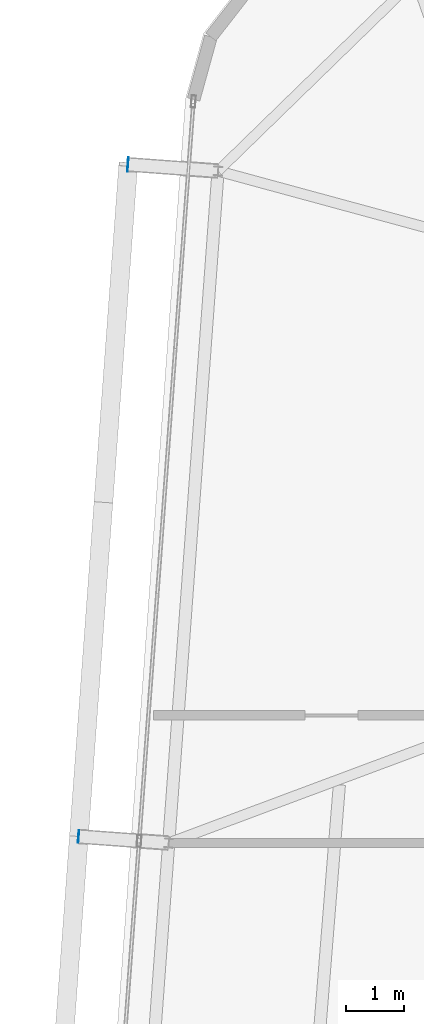
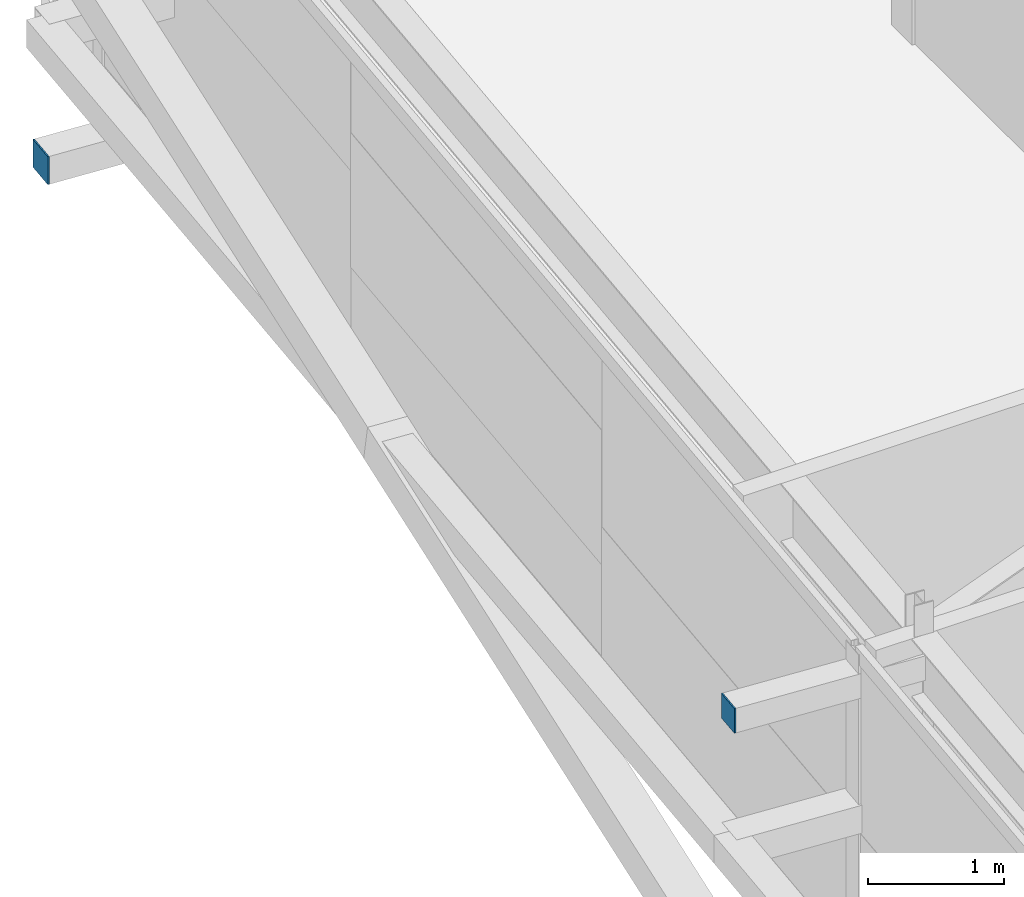
# One storey, part 31 of 40: 2 plates.
"""IFC4 building model written with IfcOpenShell, lengths in metres."""

from ifc_helpers import new_model, si_unit, direction, frame, origin, origin_2d, place, context, subcontext, project, spatial, rectangle, extrude, source, transform, mapped, material, layer, layer_set, type_object, element, save


model = new_model("IFC4")

# Units and contexts
model_context = context("Model", 3, precision=1e-05, world=origin(), true_north=direction((0.0, 1.0)))
body_context = subcontext(model_context, "Body", "Model", "MODEL_VIEW")
ifc_project = project(units=[si_unit("LENGTHUNIT", "METRE"), si_unit("AREAUNIT", "SQUARE_METRE"), si_unit("VOLUMEUNIT", "CUBIC_METRE"), si_unit("PLANEANGLEUNIT", "RADIAN"), si_unit("MASSUNIT", "GRAM", prefix="KILO")], contexts=[model_context])

# Site, building, storey
site_placement = place(None, origin())
site = spatial("IfcSite", under=ifc_project, at=site_placement, CompositionType="ELEMENT")
building_placement = place(site_placement, origin())
building = spatial("IfcBuilding", under=site, at=building_placement, Name="Taldren Reach Tower", CompositionType="ELEMENT")
storey_placement = place(building_placement, frame((0.0, 0.0, 233.449951171875)))
storey = spatial("IfcBuildingStorey", under=building, at=storey_placement, Name="L71", CompositionType="ELEMENT", Elevation=233.449951171875)

# Plates
ifc_material_1 = material(Name="Steel Gr 350 (C350L0)", Category="steel")
ifc_layer_1 = layer(ifc_material_1, 0.011962890625)
ifc_layer_set_1 = layer_set([ifc_layer_1], Name="Steel Gr 350 (C350L0)")
plate_type_1 = type_object("IfcPlateType", Name="PL-CAP-250", PredefinedType="SHEET", material=ifc_layer_set_1)
shared_shape_1 = source(origin(), body_context, "Body", "SweptSolid", [
    extrude(rectangle(XDim=0.011962890625, YDim=0.25, at=origin_2d()), origin(), (0.0, 0.0, 1.0), 0.25),
])
plate_1_placement = place(storey_placement, frame((12.406494140625, 33.483154296875, 0.094970703125), z_axis=(0.0, 0.0, 1.0), x_axis=(0.997314477224, -0.073238197128, 0.0)))
element("IfcPlate", 1, at=plate_1_placement, inside=storey, type_object=plate_type_1, Name="Tie strut end cap plate B5-W3 L71", PredefinedType="SHEET", context=body_context, shape_type="MappedRepresentation", body=[
    mapped(shared_shape_1, transform((0.0, 0.0, 0.0), scale=1.0)),
])
ifc_material_2 = material(Name="Steel Gr 450 (C450L0)", Category="steel")
ifc_layer_2 = layer(ifc_material_2, 0.011962890625)
ifc_layer_set_2 = layer_set([ifc_layer_2], Name="Steel Gr 450 (C450L0)")
plate_type_2 = type_object("IfcPlateType", Name="PL-CAP-220", PredefinedType="SHEET", material=ifc_layer_set_2)
shared_shape_2 = source(origin(), body_context, "Body", "SweptSolid", [
    extrude(rectangle(XDim=0.011962890625, YDim=0.219970703125, at=origin_2d()), origin(), (0.0, 0.0, 1.0), 0.219970703125),
])
plate_2_placement = place(storey_placement, frame((11.556884765625, 21.914306640625, 2.47998046875), z_axis=(0.0, 0.0, 1.0), x_axis=(0.997314477224, -0.073238197128, 0.0)))
element("IfcPlate", 2, at=plate_2_placement, inside=storey, type_object=plate_type_2, Name="Tie strut end cap plate B5-W2 L71", PredefinedType="SHEET", context=body_context, shape_type="MappedRepresentation", body=[
    mapped(shared_shape_2, transform((0.0, 0.0, 0.0), scale=1.0)),
])

save(model, "model.ifc")
